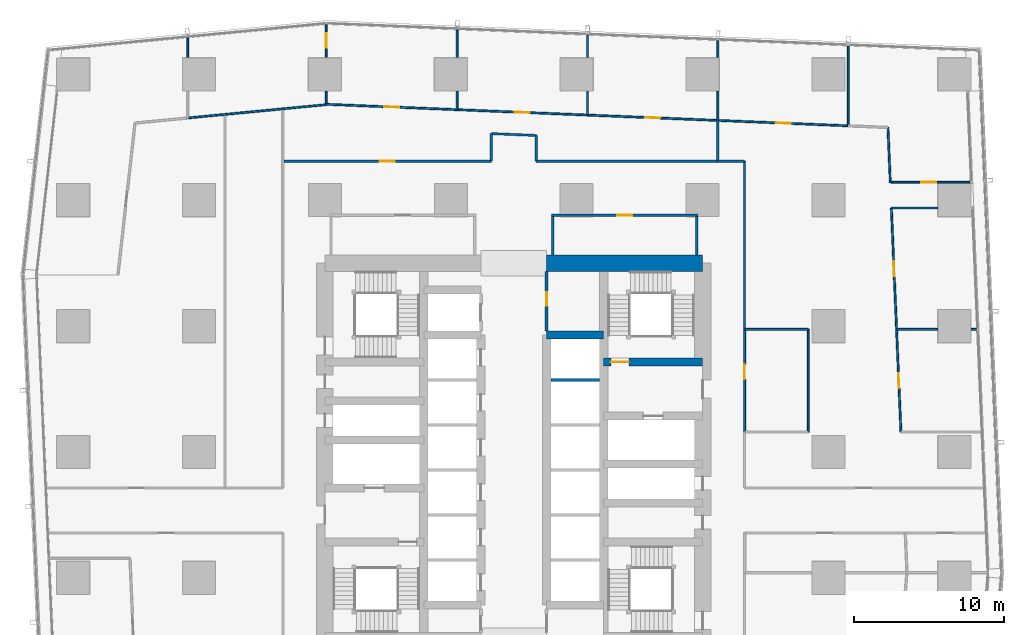
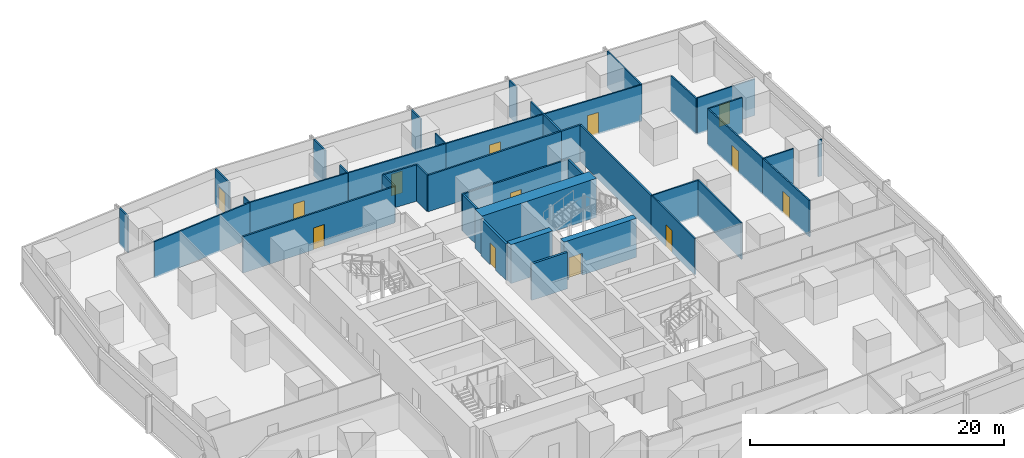
# One storey, part 34 of 44: 41 walls, 13 doors, 13 openings.
"""IFC4 building model written with IfcOpenShell, lengths in metres."""

from ifc_helpers import new_model, si_unit, direction, frame, frame_2d, origin, place, context, subcontext, project, spatial, rectangle, extrude, material, layer, layer_set, type_object, element, fill, save


model = new_model("IFC4")

# Units and contexts
model_context = context("Model", 3, precision=1e-05, world=origin(), true_north=direction((0.0, 1.0)))
body_context = subcontext(model_context, "Body", "Model", "MODEL_VIEW")
ifc_project = project(units=[si_unit("LENGTHUNIT", "METRE"), si_unit("AREAUNIT", "SQUARE_METRE"), si_unit("VOLUMEUNIT", "CUBIC_METRE"), si_unit("PLANEANGLEUNIT", "RADIAN"), si_unit("MASSUNIT", "GRAM", prefix="KILO")], contexts=[model_context])

# Site, building, storey
site_placement = place(None, origin())
site = spatial("IfcSite", under=ifc_project, at=site_placement, CompositionType="ELEMENT")
building_placement = place(site_placement, origin())
building = spatial("IfcBuilding", under=site, at=building_placement, Name="Rekha Terrace Tower", CompositionType="ELEMENT")
storey_placement = place(building_placement, frame((0.0, 0.0, 66.64990234375)))
storey = spatial("IfcBuildingStorey", under=building, at=storey_placement, Name="L16", CompositionType="ELEMENT", Elevation=66.64990234375)

# Wall
ifc_material_1 = material(Name="Concrete M70", Category="concrete")
ifc_layer_1 = layer(ifc_material_1, 0.550048828125)
ifc_layer_set_1 = layer_set([ifc_layer_1], Name="Concrete M70")
wall_type_1 = type_object("IfcWallType", Name="CI1 550 core internal shear wall", PredefinedType="SHEAR", material=ifc_layer_set_1)
wall_1_placement = place(storey_placement, frame((40.0, 41.39990234375, 0.0), z_axis=(0.0, 0.0, 1.0), x_axis=(1.0, 0.0, 0.0)))
element("IfcWall", 1, at=wall_1_placement, inside=storey, type_object=wall_type_1, Name="Core wall Y414E L16", PredefinedType="SHEAR", context=body_context, shape_type="SweptSolid", body=[
    extrude(rectangle(XDim=3.800048828125, YDim=0.550048828125, at=frame_2d((1.89990234375, 0.0))), origin(), (0.0, 0.0, 1.0), 3.75),
])

# Wall, opening, door
wall_2_placement = place(storey_placement, frame((43.800048828125, 39.60009765625, 0.0), z_axis=(0.0, 0.0, 1.0), x_axis=(1.0, 0.0, 0.0)))
wall_2 = element("IfcWall", 2, at=wall_2_placement, inside=storey, type_object=wall_type_1, Name="Core wall Y396E L16", PredefinedType="SHEAR", context=body_context, shape_type="SweptSolid", body=[
    extrude(rectangle(XDim=6.599853515625, YDim=0.550048828125, at=frame_2d((3.2998046875, 0.0))), origin(), (0.0, 0.0, 1.0), 3.75),
])
opening_1_placement = place(wall_2_placement, frame((0.47509765625, 0.0, 0.0)))
opening_1 = element("IfcOpeningElement", 3, at=opening_1_placement, cuts=wall_2, Name="Opening D1", PredefinedType="OPENING", context=body_context, shape_type="SweptSolid", body=[
    extrude(rectangle(XDim=1.199951171875, YDim=2.10009765625, at=frame_2d((0.60009765625, 1.050048828125))), frame((0.0, 0.284912109375, 0.0), z_axis=(0.0, -1.0, 0.0), x_axis=(1.0, 0.0, 0.0)), (0.0, 0.0, 1.0), 0.570068359375),
])
ifc_material_2 = material(Name="Steel fire door", Category="steel")
door_type_1 = type_object("IfcDoorType", Name="D1 1200x2100 stair fire door", OperationType="SINGLE_SWING_RIGHT", PredefinedType="DOOR", material=ifc_material_2)
door_1_placement = place(opening_1_placement, origin())
door_1 = element("IfcDoor", 4, at=door_1_placement, inside=storey, type_object=door_type_1, Name="Stair ST2 door L16", OperationType="SINGLE_SWING_RIGHT", OverallHeight=2.10009765625, OverallWidth=1.199951171875, PredefinedType="DOOR", context=body_context, shape_type="SweptSolid", body=[
    extrude(rectangle(XDim=1.199951171875, YDim=2.10009765625, at=frame_2d((0.60009765625, 1.050048828125))), frame((0.0, 0.02490234375, 0.0), z_axis=(0.0, -1.0, 0.0), x_axis=(1.0, 0.0, 0.0)), (0.0, 0.0, 1.0), 0.050048828125),
])
fill(opening_1, door_1)

# Wall
ifc_layer_2 = layer(ifc_material_1, 1.10009765625)
ifc_layer_set_2 = layer_set([ifc_layer_2], Name="Concrete M70")
wall_type_2 = type_object("IfcWallType", Name="SW1 1100 core outer shear wall", PredefinedType="SHEAR", material=ifc_layer_set_2)
wall_3_placement = place(storey_placement, frame((40.0, 46.199951171875, 0.0), z_axis=(0.0, 0.0, 1.0), x_axis=(1.0, 0.0, 0.0)))
element("IfcWall", 5, at=wall_3_placement, inside=storey, type_object=wall_type_2, Name="Core wall N2 L16", PredefinedType="SHEAR", context=body_context, shape_type="SweptSolid", body=[
    extrude(rectangle(XDim=10.39990234375, YDim=1.10009765625, at=frame_2d((5.199951171875, 0.0))), origin(), (0.0, 0.0, 1.0), 3.75),
])

# Wall, opening, door
ifc_material_3 = material(Name="Concrete block masonry, 1 hour", Category="masonry")
ifc_layer_3 = layer(ifc_material_3, 0.14990234375)
ifc_layer_set_3 = layer_set([ifc_layer_3], Name="Concrete block masonry, 1 hour")
wall_type_3 = type_object("IfcWallType", Name="WP2 150 tenancy partition", PredefinedType="PARTITIONING", material=ifc_layer_set_3)
wall_4_placement = place(storey_placement, frame((40.324951171875, 49.39990234375, 0.0), z_axis=(0.0, 0.0, 1.0), x_axis=(1.0, 0.0, 0.0)))
wall_4 = element("IfcWall", 6, at=wall_4_placement, inside=storey, type_object=wall_type_3, Name="Women's WC wall L16", PredefinedType="PARTITIONING", context=body_context, shape_type="SweptSolid", body=[
    extrude(rectangle(XDim=9.75, YDim=0.14990234375, at=frame_2d((4.875, 0.0))), origin(), (0.0, 0.0, 1.0), 3.5),
])
opening_2_placement = place(wall_4_placement, frame((4.375, 0.0, 0.0)))
opening_2 = element("IfcOpeningElement", 7, at=opening_2_placement, cuts=wall_4, Name="Opening D3", PredefinedType="OPENING", context=body_context, shape_type="SweptSolid", body=[
    extrude(rectangle(XDim=1.0, YDim=2.10009765625, at=frame_2d((0.5, 1.050048828125))), frame((0.0, 0.0849609375, 0.0), z_axis=(0.0, -1.0, 0.0), x_axis=(1.0, 0.0, 0.0)), (0.0, 0.0, 1.0), 0.169921875),
])
ifc_material_4 = material(Name="Laminated timber fire door", Category="wood")
door_type_2 = type_object("IfcDoorType", Name="D3 1000x2100 WC door", OperationType="SINGLE_SWING_LEFT", PredefinedType="DOOR", material=ifc_material_4)
door_2_placement = place(opening_2_placement, origin())
door_2 = element("IfcDoor", 8, at=door_2_placement, inside=storey, type_object=door_type_2, Name="Door women's wc L16", OperationType="SINGLE_SWING_LEFT", OverallHeight=2.10009765625, OverallWidth=1.0, PredefinedType="DOOR", context=body_context, shape_type="SweptSolid", body=[
    extrude(rectangle(XDim=1.0, YDim=2.10009765625, at=frame_2d((0.5, 1.050048828125))), frame((0.0, 0.02490234375, 0.0), z_axis=(0.0, -1.0, 0.0), x_axis=(1.0, 0.0, 0.0)), (0.0, 0.0, 1.0), 0.050048828125),
])
fill(opening_2, door_2)

# Walls
for number, where, z_axis, x_axis, name in (
    (9, (40.39990234375, 46.75, 0.0), (0.0, 0.0, 1.0), (0.0, 1.0, 0.0), "Women's WC wall L16"),
    (10, (50.0, 46.75, 0.0), (0.0, 0.0, 1.0), (0.0, 1.0, 0.0), "Women's WC wall L16"),
):
    element("IfcWall", number, at=place(storey_placement, frame(where, z_axis=z_axis, x_axis=x_axis)), inside=storey, type_object=wall_type_3, Name=name, PredefinedType="PARTITIONING", context=body_context, shape_type="SweptSolid", body=[
        extrude(rectangle(XDim=2.574951171875, YDim=0.14990234375, at=frame_2d((1.28759765625, 0.0))), origin(), (0.0, 0.0, 1.0), 3.5),
    ])
wall_5_placement = place(storey_placement, frame((53.199951171875, 41.781005859375, 0.0), z_axis=(0.0, 0.0, 1.0), x_axis=(0.0, 1.0, 0.0)))
element("IfcWall", 11, at=wall_5_placement, inside=storey, type_object=wall_type_3, Name="Partition L16-O2", PredefinedType="PARTITIONING", context=body_context, shape_type="SweptSolid", body=[
    extrude(rectangle(XDim=11.218994140625, YDim=0.14990234375, at=frame_2d((5.609375, 0.0))), origin(), (0.0, 0.0, 1.0), 3.5),
])
wall_6_placement = place(storey_placement, frame((53.199951171875, 53.0, 0.0), z_axis=(0.0, 0.0, 1.0), x_axis=(-1.0, 0.0, 0.0)))
element("IfcWall", 12, at=wall_6_placement, inside=storey, type_object=wall_type_3, Name="Partition L16-O2", PredefinedType="PARTITIONING", context=body_context, shape_type="SweptSolid", body=[
    extrude(rectangle(XDim=1.783935546875, YDim=0.14990234375, at=frame_2d((0.89208984375, 0.0))), origin(), (0.0, 0.0, 1.0), 3.5),
])
wall_7_placement = place(storey_placement, frame((51.416015625, 53.0, 0.0), z_axis=(0.0, 0.0, 1.0), x_axis=(0.0, 1.0, 0.0)))
element("IfcWall", 13, at=wall_7_placement, inside=storey, type_object=wall_type_3, Name="Partition L16-O2", PredefinedType="PARTITIONING", context=body_context, shape_type="SweptSolid", body=[
    extrude(rectangle(XDim=2.719970703125, YDim=0.14990234375, at=frame_2d((1.35986328125, 0.0))), origin(), (0.0, 0.0, 1.0), 3.5),
])
wall_8_placement = place(storey_placement, frame((51.4150390625, 53.0, 0.0), z_axis=(0.0, 0.0, 1.0), x_axis=(-1.0, 0.0, 0.0)))
element("IfcWall", 14, at=wall_8_placement, inside=storey, type_object=wall_type_3, Name="Partition L16-O3", PredefinedType="PARTITIONING", context=body_context, shape_type="SweptSolid", body=[
    extrude(rectangle(XDim=12.114990234375, YDim=0.14990234375, at=frame_2d((6.0576171875, 0.0))), origin(), (0.0, 0.0, 1.0), 3.5),
])
wall_9_placement = place(storey_placement, frame((39.300048828125, 53.0, 0.0), z_axis=(0.0, 0.0, 1.0), x_axis=(0.0, 1.0, 0.0)))
element("IfcWall", 15, at=wall_9_placement, inside=storey, type_object=wall_type_3, Name="Partition L16-O3", PredefinedType="PARTITIONING", context=body_context, shape_type="SweptSolid", body=[
    extrude(rectangle(XDim=1.718017578125, YDim=0.14990234375, at=frame_2d((0.85888671875, 0.0))), origin(), (0.0, 0.0, 1.0), 3.5),
])
wall_10_placement = place(storey_placement, frame((39.300048828125, 54.718017578125, 0.0), z_axis=(0.0, 0.0, 1.0), x_axis=(-0.999146548644, 0.041305863176, 0.0)))
element("IfcWall", 16, at=wall_10_placement, inside=storey, type_object=wall_type_3, Name="Partition L16-O3", PredefinedType="PARTITIONING", context=body_context, shape_type="SweptSolid", body=[
    extrude(rectangle(XDim=3.00244140625, YDim=0.14990234375, at=frame_2d((1.501220703125, 0.0))), origin(), (0.0, 0.0, 1.0), 3.5),
])
wall_11_placement = place(storey_placement, frame((36.300048828125, 54.842041015625, 0.0), z_axis=(0.0, 0.0, 1.0), x_axis=(0.0, -1.0, 0.0)))
element("IfcWall", 17, at=wall_11_placement, inside=storey, type_object=wall_type_3, Name="Partition L16-O3", PredefinedType="PARTITIONING", context=body_context, shape_type="SweptSolid", body=[
    extrude(rectangle(XDim=1.842041015625, YDim=0.14990234375, at=frame_2d((0.9208984375, 0.0))), origin(), (0.0, 0.0, 1.0), 3.5),
])

# Wall, opening, door
wall_12_placement = place(storey_placement, frame((36.300048828125, 53.0, 0.0), z_axis=(0.0, 0.0, 1.0), x_axis=(-1.0, 0.0, 0.0)))
wall_12 = element("IfcWall", 18, at=wall_12_placement, inside=storey, type_object=wall_type_3, Name="Partition L16-O3", PredefinedType="PARTITIONING", context=body_context, shape_type="SweptSolid", body=[
    extrude(rectangle(XDim=13.838134765625, YDim=0.14990234375, at=frame_2d((6.9189453125, 0.0))), origin(), (0.0, 0.0, 1.0), 3.5),
])
opening_3_placement = place(wall_12_placement, frame((6.449951171875, 0.0, 0.0)))
opening_3 = element("IfcOpeningElement", 19, at=opening_3_placement, cuts=wall_12, Name="Opening D9", PredefinedType="OPENING", context=body_context, shape_type="SweptSolid", body=[
    extrude(rectangle(XDim=1.0, YDim=2.10009765625, at=frame_2d((0.5, 1.050048828125))), frame((0.0, 0.0849609375, 0.0), z_axis=(0.0, -1.0, 0.0), x_axis=(1.0, 0.0, 0.0)), (0.0, 0.0, 1.0), 0.169921875),
])
ifc_material_5 = material(Name="Timber fire door", Category="wood")
door_type_3 = type_object("IfcDoorType", Name="D9 1000x2100 office door", OperationType="SINGLE_SWING_LEFT", PredefinedType="DOOR", material=ifc_material_5)
door_3_placement = place(opening_3_placement, origin())
door_3 = element("IfcDoor", 20, at=door_3_placement, inside=storey, type_object=door_type_3, Name="Door open-plan office L16", OperationType="SINGLE_SWING_LEFT", OverallHeight=2.10009765625, OverallWidth=1.0, PredefinedType="DOOR", context=body_context, shape_type="SweptSolid", body=[
    extrude(rectangle(XDim=1.0, YDim=2.10009765625, at=frame_2d((0.5, 1.050048828125))), frame((0.0, 0.02490234375, 0.0), z_axis=(0.0, -1.0, 0.0), x_axis=(1.0, 0.0, 0.0)), (0.0, 0.0, 1.0), 0.050048828125),
])
fill(opening_3, door_3)

ifc_material_6 = material(Name="Two layers of fire-rated gypsum board each side on steel studs, acoustic quilt, 1 hour", Category="steel")
ifc_layer_4 = layer(ifc_material_6, 0.125)
ifc_layer_set_4 = layer_set([ifc_layer_4], Name="Two layers of fire-rated gypsum board each side on steel studs, acoustic quilt, 1 hour")
wall_type_4 = type_object("IfcWallType", Name="WP3 125 office partition", PredefinedType="PARTITIONING", material=ifc_layer_set_4)
wall_13_placement = place(storey_placement, frame((63.631103515625, 34.931884765625, 0.0), z_axis=(0.0, 0.0, 1.0), x_axis=(-0.042771118603, 0.999084897, 0.0)))
wall_13 = element("IfcWall", 21, at=wall_13_placement, inside=storey, type_object=wall_type_4, Name="Partition L16-07", PredefinedType="PARTITIONING", context=body_context, shape_type="SweptSolid", body=[
    extrude(rectangle(XDim=6.85546875, YDim=0.125, at=frame_2d((3.427734375, 0.0))), origin(), (0.0, 0.0, 1.0), 3.5),
])
opening_4_placement = place(wall_13_placement, frame((2.927978515625, 0.0, 0.0)))
opening_4 = element("IfcOpeningElement", 22, at=opening_4_placement, cuts=wall_13, Name="Opening D9", PredefinedType="OPENING", context=body_context, shape_type="SweptSolid", body=[
    extrude(rectangle(XDim=1.0, YDim=2.10009765625, at=frame_2d((0.5, 1.050048828125))), frame((0.0, 0.072509765625, 0.0), z_axis=(0.0, -1.0, 0.0), x_axis=(1.0, 0.0, 0.0)), (0.0, 0.0, 1.0), 0.14501953125),
])
door_4_placement = place(opening_4_placement, origin())
door_4 = element("IfcDoor", 23, at=door_4_placement, inside=storey, type_object=door_type_3, Name="Door office L16", OperationType="SINGLE_SWING_LEFT", OverallHeight=2.10009765625, OverallWidth=1.0, PredefinedType="DOOR", context=body_context, shape_type="SweptSolid", body=[
    extrude(rectangle(XDim=1.0, YDim=2.10009765625, at=frame_2d((0.5, 1.050048828125))), frame((0.0, 0.02490234375, 0.0), z_axis=(0.0, -1.0, 0.0), x_axis=(1.0, 0.0, 0.0)), (0.0, 0.0, 1.0), 0.050048828125),
])
fill(opening_4, door_4)

# Walls
wall_14_placement = place(storey_placement, frame((63.337890625, 41.781005859375, 0.0), z_axis=(0.0, 0.0, 1.0), x_axis=(1.0, 0.0, 0.0)))
element("IfcWall", 24, at=wall_14_placement, inside=storey, type_object=wall_type_4, Name="Partition L16-07", PredefinedType="PARTITIONING", context=body_context, shape_type="SweptSolid", body=[
    extrude(rectangle(XDim=2.7421875, YDim=0.125, at=frame_2d((1.37109375, 0.0))), origin(), (0.0, 0.0, 1.0), 3.5),
])
wall_15_placement = place(storey_placement, frame((68.320068359375, 41.781005859375, 0.0), z_axis=(0.0, 0.0, 1.0), x_axis=(1.0, 0.0, 0.0)))
element("IfcWall", 25, at=wall_15_placement, inside=storey, type_object=wall_type_4, Name="Partition L16-07", PredefinedType="PARTITIONING", context=body_context, shape_type="SweptSolid", body=[
    extrude(rectangle(XDim=0.343017578125, YDim=0.125, at=frame_2d((0.17138671875, 0.0))), origin(), (0.0, 0.0, 1.0), 3.5),
])

# Wall, opening, door
wall_16_placement = place(storey_placement, frame((63.337890625, 41.781982421875, 0.0), z_axis=(0.0, 0.0, 1.0), x_axis=(-0.042686820675, 0.999088502256, 0.0)))
wall_16 = element("IfcWall", 26, at=wall_16_placement, inside=storey, type_object=wall_type_4, Name="Partition L16-08", PredefinedType="PARTITIONING", context=body_context, shape_type="SweptSolid", body=[
    extrude(rectangle(XDim=8.104248046875, YDim=0.125, at=frame_2d((4.05224609375, 0.0))), origin(), (0.0, 0.0, 1.0), 3.5),
])
opening_5_placement = place(wall_16_placement, frame((3.552001953125, 0.0, 0.0)))
opening_5 = element("IfcOpeningElement", 27, at=opening_5_placement, cuts=wall_16, Name="Opening D9", PredefinedType="OPENING", context=body_context, shape_type="SweptSolid", body=[
    extrude(rectangle(XDim=1.0, YDim=2.10009765625, at=frame_2d((0.5, 1.050048828125))), frame((0.0, 0.072509765625, 0.0), z_axis=(0.0, -1.0, 0.0), x_axis=(1.0, 0.0, 0.0)), (0.0, 0.0, 1.0), 0.14501953125),
])
door_5_placement = place(opening_5_placement, origin())
door_5 = element("IfcDoor", 28, at=door_5_placement, inside=storey, type_object=door_type_3, Name="Door office L16", OperationType="SINGLE_SWING_LEFT", OverallHeight=2.10009765625, OverallWidth=1.0, PredefinedType="DOOR", context=body_context, shape_type="SweptSolid", body=[
    extrude(rectangle(XDim=1.0, YDim=2.10009765625, at=frame_2d((0.5, 1.050048828125))), frame((0.0, 0.02490234375, 0.0), z_axis=(0.0, -1.0, 0.0), x_axis=(1.0, 0.0, 0.0)), (0.0, 0.0, 1.0), 0.050048828125),
])
fill(opening_5, door_5)

# Walls
wall_17_placement = place(storey_placement, frame((62.991943359375, 49.87890625, 0.0), z_axis=(0.0, 0.0, 1.0), x_axis=(1.0, 0.0, 0.0)))
element("IfcWall", 29, at=wall_17_placement, inside=storey, type_object=wall_type_4, Name="Partition L16-08", PredefinedType="PARTITIONING", context=body_context, shape_type="SweptSolid", body=[
    extrude(rectangle(XDim=3.088134765625, YDim=0.125, at=frame_2d((1.5439453125, 0.0))), origin(), (0.0, 0.0, 1.0), 3.5),
])
wall_18_placement = place(storey_placement, frame((60.112060546875, 55.361083984375, 0.0), z_axis=(0.0, 0.0, 1.0), x_axis=(0.0, 1.0, 0.0)))
element("IfcWall", 30, at=wall_18_placement, inside=storey, type_object=wall_type_4, Name="Partition L16-09", PredefinedType="PARTITIONING", context=body_context, shape_type="SweptSolid", body=[
    extrude(rectangle(XDim=5.324951171875, YDim=0.125, at=frame_2d((2.66259765625, 0.0))), origin(), (0.0, 0.0, 1.0), 3.5),
])

# Wall, opening, door
wall_19_placement = place(storey_placement, frame((68.243896484375, 51.593017578125, 0.0), z_axis=(0.0, 0.0, 1.0), x_axis=(-1.0, 0.0, 0.0)))
wall_19 = element("IfcWall", 31, at=wall_19_placement, inside=storey, type_object=wall_type_4, Name="Partition L16-09", PredefinedType="PARTITIONING", context=body_context, shape_type="SweptSolid", body=[
    extrude(rectangle(XDim=5.261962890625, YDim=0.125, at=frame_2d((2.630859375, 0.0))), origin(), (0.0, 0.0, 1.0), 3.5),
])
opening_6_placement = place(wall_19_placement, frame((2.260986328125, 0.0, 0.0)))
opening_6 = element("IfcOpeningElement", 32, at=opening_6_placement, cuts=wall_19, Name="Opening D9", PredefinedType="OPENING", context=body_context, shape_type="SweptSolid", body=[
    extrude(rectangle(XDim=1.0, YDim=2.10009765625, at=frame_2d((0.5, 1.050048828125))), frame((0.0, 0.072509765625, 0.0), z_axis=(0.0, -1.0, 0.0), x_axis=(1.0, 0.0, 0.0)), (0.0, 0.0, 1.0), 0.14501953125),
])
door_6_placement = place(opening_6_placement, origin())
door_6 = element("IfcDoor", 33, at=door_6_placement, inside=storey, type_object=door_type_3, Name="Door director's office L16", OperationType="SINGLE_SWING_LEFT", OverallHeight=2.10009765625, OverallWidth=1.0, PredefinedType="DOOR", context=body_context, shape_type="SweptSolid", body=[
    extrude(rectangle(XDim=1.0, YDim=2.10009765625, at=frame_2d((0.5, 1.050048828125))), frame((0.0, 0.02490234375, 0.0), z_axis=(0.0, -1.0, 0.0), x_axis=(1.0, 0.0, 0.0)), (0.0, 0.0, 1.0), 0.050048828125),
])
fill(opening_6, door_6)

# Wall
wall_20_placement = place(storey_placement, frame((62.9208984375, 51.556884765625, 0.0), z_axis=(0.0, 0.0, 1.0), x_axis=(-0.042709589124, 0.999087529197, 0.0)))
element("IfcWall", 34, at=wall_20_placement, inside=storey, type_object=wall_type_4, Name="Partition L16-09", PredefinedType="PARTITIONING", context=body_context, shape_type="SweptSolid", body=[
    extrude(rectangle(XDim=3.698486328125, YDim=0.125, at=frame_2d((1.84912109375, 0.0))), origin(), (0.0, 0.0, 1.0), 3.5),
])

# Wall, opening, door
wall_21_placement = place(storey_placement, frame((60.111083984375, 55.361083984375, 0.0), z_axis=(0.0, 0.0, 1.0), x_axis=(-0.99914928457, 0.041239630726, 0.0)))
wall_21 = element("IfcWall", 35, at=wall_21_placement, inside=storey, type_object=wall_type_4, Name="Partition L16-10", PredefinedType="PARTITIONING", context=body_context, shape_type="SweptSolid", body=[
    extrude(rectangle(XDim=8.702392578125, YDim=0.125, at=frame_2d((4.35107421875, 0.0))), origin(), (0.0, 0.0, 1.0), 3.5),
])
opening_7_placement = place(wall_21_placement, frame((3.85107421875, 0.0, 0.0)))
opening_7 = element("IfcOpeningElement", 36, at=opening_7_placement, cuts=wall_21, Name="Opening D9", PredefinedType="OPENING", context=body_context, shape_type="SweptSolid", body=[
    extrude(rectangle(XDim=1.0, YDim=2.10009765625, at=frame_2d((0.5, 1.050048828125))), frame((0.0, 0.072509765625, 0.0), z_axis=(0.0, -1.0, 0.0), x_axis=(1.0, 0.0, 0.0)), (0.0, 0.0, 1.0), 0.14501953125),
])
door_7_placement = place(opening_7_placement, origin())
door_7 = element("IfcDoor", 37, at=door_7_placement, inside=storey, type_object=door_type_3, Name="Door office L16", OperationType="SINGLE_SWING_LEFT", OverallHeight=2.10009765625, OverallWidth=1.0, PredefinedType="DOOR", context=body_context, shape_type="SweptSolid", body=[
    extrude(rectangle(XDim=1.0, YDim=2.10009765625, at=frame_2d((0.5, 1.050048828125))), frame((0.0, 0.02490234375, 0.0), z_axis=(0.0, -1.0, 0.0), x_axis=(1.0, 0.0, 0.0)), (0.0, 0.0, 1.0), 0.050048828125),
])
fill(opening_7, door_7)

# Walls
wall_22_placement = place(storey_placement, frame((51.416015625, 55.719970703125, 0.0), z_axis=(0.0, 0.0, 1.0), x_axis=(0.0, 1.0, 0.0)))
element("IfcWall", 38, at=wall_22_placement, inside=storey, type_object=wall_type_4, Name="Partition L16-10", PredefinedType="PARTITIONING", context=body_context, shape_type="SweptSolid", body=[
    extrude(rectangle(XDim=1.9599609375, YDim=0.125, at=frame_2d((0.97998046875, 0.0))), origin(), (0.0, 0.0, 1.0), 3.5),
])
wall_23_placement = place(storey_placement, frame((51.416015625, 59.919921875, 0.0), z_axis=(0.0, 0.0, 1.0), x_axis=(0.0, 1.0, 0.0)))
element("IfcWall", 39, at=wall_23_placement, inside=storey, type_object=wall_type_4, Name="Partition L16-10", PredefinedType="PARTITIONING", context=body_context, shape_type="SweptSolid", body=[
    extrude(rectangle(XDim=1.1240234375, YDim=0.125, at=frame_2d((0.56201171875, 0.0))), origin(), (0.0, 0.0, 1.0), 3.5),
])
wall_24_placement = place(storey_placement, frame((57.449951171875, 41.781005859375, 0.0), z_axis=(0.0, 0.0, 1.0), x_axis=(0.0, -1.0, 0.0)))
element("IfcWall", 40, at=wall_24_placement, inside=storey, type_object=wall_type_4, Name="Partition L16-11", PredefinedType="PARTITIONING", context=body_context, shape_type="SweptSolid", body=[
    extrude(rectangle(XDim=6.84912109375, YDim=0.125, at=frame_2d((3.424560546875, 0.0))), origin(), (0.0, 0.0, 1.0), 3.5),
])

# Wall, opening, door
wall_25_placement = place(storey_placement, frame((53.199951171875, 34.931884765625, 0.0), z_axis=(0.0, 0.0, 1.0), x_axis=(0.0, 1.0, 0.0)))
wall_25 = element("IfcWall", 41, at=wall_25_placement, inside=storey, type_object=wall_type_4, Name="Partition L16-11", PredefinedType="PARTITIONING", context=body_context, shape_type="SweptSolid", body=[
    extrude(rectangle(XDim=6.84912109375, YDim=0.125, at=frame_2d((3.424560546875, 0.0))), origin(), (0.0, 0.0, 1.0), 3.5),
])
opening_8_placement = place(wall_25_placement, frame((3.52392578125, 0.0, 0.0)))
opening_8 = element("IfcOpeningElement", 42, at=opening_8_placement, cuts=wall_25, Name="Opening D9", PredefinedType="OPENING", context=body_context, shape_type="SweptSolid", body=[
    extrude(rectangle(XDim=1.0, YDim=2.10009765625, at=frame_2d((0.5, 1.050048828125))), frame((0.0, 0.072509765625, 0.0), z_axis=(0.0, -1.0, 0.0), x_axis=(1.0, 0.0, 0.0)), (0.0, 0.0, 1.0), 0.14501953125),
])
door_8_placement = place(opening_8_placement, origin())
door_8 = element("IfcDoor", 43, at=door_8_placement, inside=storey, type_object=door_type_3, Name="Door reception L16", OperationType="SINGLE_SWING_LEFT", OverallHeight=2.10009765625, OverallWidth=1.0, PredefinedType="DOOR", context=body_context, shape_type="SweptSolid", body=[
    extrude(rectangle(XDim=1.0, YDim=2.10009765625, at=frame_2d((0.5, 1.050048828125))), frame((0.0, 0.02490234375, 0.0), z_axis=(0.0, -1.0, 0.0), x_axis=(1.0, 0.0, 0.0)), (0.0, 0.0, 1.0), 0.050048828125),
])
fill(opening_8, door_8)

# Wall
wall_26_placement = place(storey_placement, frame((53.199951171875, 41.781005859375, 0.0), z_axis=(0.0, 0.0, 1.0), x_axis=(1.0, 0.0, 0.0)))
element("IfcWall", 44, at=wall_26_placement, inside=storey, type_object=wall_type_4, Name="Partition L16-11", PredefinedType="PARTITIONING", context=body_context, shape_type="SweptSolid", body=[
    extrude(rectangle(XDim=4.25, YDim=0.125, at=frame_2d((2.125, 0.0))), origin(), (0.0, 0.0, 1.0), 3.5),
])

# Wall, opening, door
wall_27_placement = place(storey_placement, frame((51.4150390625, 55.719970703125, 0.0), z_axis=(0.0, 0.0, 1.0), x_axis=(-0.99915409193, 0.041122993312, 0.0)))
wall_27 = element("IfcWall", 45, at=wall_27_placement, inside=storey, type_object=wall_type_4, Name="Partition L16-12", PredefinedType="PARTITIONING", context=body_context, shape_type="SweptSolid", body=[
    extrude(rectangle(XDim=8.703369140625, YDim=0.125, at=frame_2d((4.3515625, 0.0))), origin(), (0.0, 0.0, 1.0), 3.5),
])
opening_9_placement = place(wall_27_placement, frame((3.85205078125, 0.0, 0.0)))
opening_9 = element("IfcOpeningElement", 46, at=opening_9_placement, cuts=wall_27, Name="Opening D9", PredefinedType="OPENING", context=body_context, shape_type="SweptSolid", body=[
    extrude(rectangle(XDim=1.0, YDim=2.10009765625, at=frame_2d((0.5, 1.050048828125))), frame((0.0, 0.072509765625, 0.0), z_axis=(0.0, -1.0, 0.0), x_axis=(1.0, 0.0, 0.0)), (0.0, 0.0, 1.0), 0.14501953125),
])
door_9_placement = place(opening_9_placement, origin())
door_9 = element("IfcDoor", 47, at=door_9_placement, inside=storey, type_object=door_type_3, Name="Door office L16", OperationType="SINGLE_SWING_LEFT", OverallHeight=2.10009765625, OverallWidth=1.0, PredefinedType="DOOR", context=body_context, shape_type="SweptSolid", body=[
    extrude(rectangle(XDim=1.0, YDim=2.10009765625, at=frame_2d((0.5, 1.050048828125))), frame((0.0, 0.02490234375, 0.0), z_axis=(0.0, -1.0, 0.0), x_axis=(1.0, 0.0, 0.0)), (0.0, 0.0, 1.0), 0.050048828125),
])
fill(opening_9, door_9)

# Walls
wall_28_placement = place(storey_placement, frame((42.718994140625, 56.077880859375, 0.0), z_axis=(0.0, 0.0, 1.0), x_axis=(0.0, 1.0, 0.0)))
element("IfcWall", 48, at=wall_28_placement, inside=storey, type_object=wall_type_4, Name="Partition L16-12", PredefinedType="PARTITIONING", context=body_context, shape_type="SweptSolid", body=[
    extrude(rectangle(XDim=1.60205078125, YDim=0.125, at=frame_2d((0.801025390625, 0.0))), origin(), (0.0, 0.0, 1.0), 3.5),
])
wall_29_placement = place(storey_placement, frame((42.718994140625, 59.919921875, 0.0), z_axis=(0.0, 0.0, 1.0), x_axis=(0.0, 1.0, 0.0)))
element("IfcWall", 49, at=wall_29_placement, inside=storey, type_object=wall_type_4, Name="Partition L16-12", PredefinedType="PARTITIONING", context=body_context, shape_type="SweptSolid", body=[
    extrude(rectangle(XDim=1.483154296875, YDim=0.125, at=frame_2d((0.74169921875, 0.0))), origin(), (0.0, 0.0, 1.0), 3.5),
])

# Wall, opening, door
wall_30_placement = place(storey_placement, frame((42.718017578125, 56.077880859375, 0.0), z_axis=(0.0, 0.0, 1.0), x_axis=(-0.99914812822, 0.041267637136, 0.0)))
wall_30 = element("IfcWall", 50, at=wall_30_placement, inside=storey, type_object=wall_type_4, Name="Partition L16-13", PredefinedType="PARTITIONING", context=body_context, shape_type="SweptSolid", body=[
    extrude(rectangle(XDim=8.702392578125, YDim=0.125, at=frame_2d((4.35107421875, 0.0))), origin(), (0.0, 0.0, 1.0), 3.5),
])
opening_10_placement = place(wall_30_placement, frame((3.85107421875, 0.0, 0.0)))
opening_10 = element("IfcOpeningElement", 51, at=opening_10_placement, cuts=wall_30, Name="Opening D9", PredefinedType="OPENING", context=body_context, shape_type="SweptSolid", body=[
    extrude(rectangle(XDim=1.0, YDim=2.10009765625, at=frame_2d((0.5, 1.050048828125))), frame((0.0, 0.072509765625, 0.0), z_axis=(0.0, -1.0, 0.0), x_axis=(1.0, 0.0, 0.0)), (0.0, 0.0, 1.0), 0.14501953125),
])
door_10_placement = place(opening_10_placement, origin())
door_10 = element("IfcDoor", 52, at=door_10_placement, inside=storey, type_object=door_type_3, Name="Door office L16", OperationType="SINGLE_SWING_LEFT", OverallHeight=2.10009765625, OverallWidth=1.0, PredefinedType="DOOR", context=body_context, shape_type="SweptSolid", body=[
    extrude(rectangle(XDim=1.0, YDim=2.10009765625, at=frame_2d((0.5, 1.050048828125))), frame((0.0, 0.02490234375, 0.0), z_axis=(0.0, -1.0, 0.0), x_axis=(1.0, 0.0, 0.0)), (0.0, 0.0, 1.0), 0.050048828125),
])
fill(opening_10, door_10)

# Walls
wall_31_placement = place(storey_placement, frame((34.02294921875, 56.43701171875, 0.0), z_axis=(0.0, 0.0, 1.0), x_axis=(0.0, 1.0, 0.0)))
element("IfcWall", 53, at=wall_31_placement, inside=storey, type_object=wall_type_4, Name="Partition L16-13", PredefinedType="PARTITIONING", context=body_context, shape_type="SweptSolid", body=[
    extrude(rectangle(XDim=1.242919921875, YDim=0.125, at=frame_2d((0.62158203125, 0.0))), origin(), (0.0, 0.0, 1.0), 3.5),
])
wall_32_placement = place(storey_placement, frame((34.02294921875, 59.919921875, 0.0), z_axis=(0.0, 0.0, 1.0), x_axis=(0.0, 1.0, 0.0)))
element("IfcWall", 54, at=wall_32_placement, inside=storey, type_object=wall_type_4, Name="Partition L16-13", PredefinedType="PARTITIONING", context=body_context, shape_type="SweptSolid", body=[
    extrude(rectangle(XDim=1.841064453125, YDim=0.125, at=frame_2d((0.92041015625, 0.0))), origin(), (0.0, 0.0, 1.0), 3.5),
])

# Wall, opening, door
wall_33_placement = place(storey_placement, frame((34.02099609375, 56.43701171875, 0.0), z_axis=(0.0, 0.0, 1.0), x_axis=(-0.999150892364, 0.041200658827, 0.0)))
wall_33 = element("IfcWall", 55, at=wall_33_placement, inside=storey, type_object=wall_type_4, Name="Partition L16-14", PredefinedType="PARTITIONING", context=body_context, shape_type="SweptSolid", body=[
    extrude(rectangle(XDim=8.740234375, YDim=0.125, at=frame_2d((4.3701171875, 0.0))), origin(), (0.0, 0.0, 1.0), 3.5),
])
opening_11_placement = place(wall_33_placement, frame((3.868896484375, 0.0, 0.0)))
opening_11 = element("IfcOpeningElement", 56, at=opening_11_placement, cuts=wall_33, Name="Opening D9", PredefinedType="OPENING", context=body_context, shape_type="SweptSolid", body=[
    extrude(rectangle(XDim=1.0, YDim=2.10009765625, at=frame_2d((0.5, 1.050048828125))), frame((0.0, 0.072509765625, 0.0), z_axis=(0.0, -1.0, 0.0), x_axis=(1.0, 0.0, 0.0)), (0.0, 0.0, 1.0), 0.14501953125),
])
door_11_placement = place(opening_11_placement, origin())
door_11 = element("IfcDoor", 57, at=door_11_placement, inside=storey, type_object=door_type_3, Name="Door office L16", OperationType="SINGLE_SWING_LEFT", OverallHeight=2.10009765625, OverallWidth=1.0, PredefinedType="DOOR", context=body_context, shape_type="SweptSolid", body=[
    extrude(rectangle(XDim=1.0, YDim=2.10009765625, at=frame_2d((0.5, 1.050048828125))), frame((0.0, 0.02490234375, 0.0), z_axis=(0.0, -1.0, 0.0), x_axis=(1.0, 0.0, 0.0)), (0.0, 0.0, 1.0), 0.050048828125),
])
fill(opening_11, door_11)

# Wall
wall_34_placement = place(storey_placement, frame((25.291015625, 56.85888671875, 0.0), z_axis=(0.0, 0.0, 1.0), x_axis=(0.0, 1.0, 0.0)))
element("IfcWall", 58, at=wall_34_placement, inside=storey, type_object=wall_type_4, Name="Partition L16-14", PredefinedType="PARTITIONING", context=body_context, shape_type="SweptSolid", body=[
    extrude(rectangle(XDim=0.821044921875, YDim=0.125, at=frame_2d((0.41064453125, 0.0))), origin(), (0.0, 0.0, 1.0), 3.5),
])

# Wall, opening, door
wall_35_placement = place(storey_placement, frame((25.291015625, 59.919921875, 0.0), z_axis=(0.0, 0.0, 1.0), x_axis=(0.0, 1.0, 0.0)))
wall_35 = element("IfcWall", 59, at=wall_35_placement, inside=storey, type_object=wall_type_4, Name="Partition L16-14", PredefinedType="PARTITIONING", context=body_context, shape_type="SweptSolid", body=[
    extrude(rectangle(XDim=2.196044921875, YDim=0.125, at=frame_2d((1.09814453125, 0.0))), origin(), (0.0, 0.0, 1.0), 3.5),
])
opening_12_placement = place(wall_35_placement, frame((0.633056640625, 0.0, 0.0)))
opening_12 = element("IfcOpeningElement", 60, at=opening_12_placement, cuts=wall_35, Name="Opening D9", PredefinedType="OPENING", context=body_context, shape_type="SweptSolid", body=[
    extrude(rectangle(XDim=1.0, YDim=2.10009765625, at=frame_2d((0.5, 1.050048828125))), frame((0.0, 0.072509765625, 0.0), z_axis=(0.0, -1.0, 0.0), x_axis=(1.0, 0.0, 0.0)), (0.0, 0.0, 1.0), 0.14501953125),
])
door_12_placement = place(opening_12_placement, origin())
door_12 = element("IfcDoor", 61, at=door_12_placement, inside=storey, type_object=door_type_3, Name="Door office L16", OperationType="SINGLE_SWING_LEFT", OverallHeight=2.10009765625, OverallWidth=1.0, PredefinedType="DOOR", context=body_context, shape_type="SweptSolid", body=[
    extrude(rectangle(XDim=1.0, YDim=2.10009765625, at=frame_2d((0.5, 1.050048828125))), frame((0.0, 0.02490234375, 0.0), z_axis=(0.0, -1.0, 0.0), x_axis=(1.0, 0.0, 0.0)), (0.0, 0.0, 1.0), 0.050048828125),
])
fill(opening_12, door_12)

# Walls
wall_36_placement = place(storey_placement, frame((25.287109375, 56.77197265625, 0.0), z_axis=(0.0, 0.0, 1.0), x_axis=(-0.995407630517, -0.095726950797, 0.0)))
element("IfcWall", 62, at=wall_36_placement, inside=storey, type_object=wall_type_4, Name="Partition L16-15", PredefinedType="PARTITIONING", context=body_context, shape_type="SweptSolid", body=[
    extrude(rectangle(XDim=9.275634765625, YDim=0.125, at=frame_2d((4.6376953125, 0.0))), origin(), (0.0, 0.0, 1.0), 3.5),
])
wall_37_placement = place(storey_placement, frame((16.053955078125, 59.919921875, 0.0), z_axis=(0.0, 0.0, 1.0), x_axis=(0.0, 1.0, 0.0)))
element("IfcWall", 63, at=wall_37_placement, inside=storey, type_object=wall_type_4, Name="Partition L16-15", PredefinedType="PARTITIONING", context=body_context, shape_type="SweptSolid", body=[
    extrude(rectangle(XDim=1.30810546875, YDim=0.125, at=frame_2d((0.654052734375, 0.0))), origin(), (0.0, 0.0, 1.0), 3.5),
])
ifc_material_7 = material(Name="Solid concrete block masonry, 2 hour", Category="masonry")
ifc_layer_5 = layer(ifc_material_7, 0.199951171875)
ifc_layer_set_5 = layer_set([ifc_layer_5], Name="Solid concrete block masonry, 2 hour")
wall_type_5 = type_object("IfcWallType", Name="WS1 200 stair and shaft enclosure", PredefinedType="PARTITIONING", material=ifc_layer_set_5)
wall_38_placement = place(storey_placement, frame((40.27490234375, 38.39990234375, 0.0), z_axis=(0.0, 0.0, 1.0), x_axis=(1.0, 0.0, 0.0)))
element("IfcWall", 64, at=wall_38_placement, inside=storey, type_object=wall_type_5, Name="Lift shaft divider L16", PredefinedType="PARTITIONING", context=body_context, shape_type="SweptSolid", body=[
    extrude(rectangle(XDim=3.25, YDim=0.199951171875, at=frame_2d((1.625, 0.0))), origin(), (0.0, 0.0, 1.0), 3.5),
])

# Wall, opening, door
wall_39_placement = place(storey_placement, frame((40.0, 41.675048828125, 0.0), z_axis=(0.0, 0.0, 1.0), x_axis=(0.0, 1.0, 0.0)))
wall_39 = element("IfcWall", 65, at=wall_39_placement, inside=storey, type_object=wall_type_5, Name="Core partition elec L16", PredefinedType="PARTITIONING", context=body_context, shape_type="SweptSolid", body=[
    extrude(rectangle(XDim=3.974853515625, YDim=0.199951171875, at=frame_2d((1.9873046875, 0.0))), origin(), (0.0, 0.0, 1.0), 3.5),
])
opening_13_placement = place(wall_39_placement, frame((1.675048828125, 0.0, 0.0)))
opening_13 = element("IfcOpeningElement", 66, at=opening_13_placement, cuts=wall_39, Name="Opening D5", PredefinedType="OPENING", context=body_context, shape_type="SweptSolid", body=[
    extrude(rectangle(XDim=0.89990234375, YDim=2.10009765625, at=frame_2d((0.449951171875, 1.050048828125))), frame((0.0, 0.10986328125, 0.0), z_axis=(0.0, -1.0, 0.0), x_axis=(1.0, 0.0, 0.0)), (0.0, 0.0, 1.0), 0.219970703125),
])
door_type_4 = type_object("IfcDoorType", Name="D5 900x2100 riser access door", OperationType="SINGLE_SWING_LEFT", PredefinedType="DOOR", material=ifc_material_2)
door_13_placement = place(opening_13_placement, origin())
door_13 = element("IfcDoor", 67, at=door_13_placement, inside=storey, type_object=door_type_4, Name="Door electrical room L16", OperationType="SINGLE_SWING_LEFT", OverallHeight=2.10009765625, OverallWidth=0.89990234375, PredefinedType="DOOR", context=body_context, shape_type="SweptSolid", body=[
    extrude(rectangle(XDim=0.89990234375, YDim=2.10009765625, at=frame_2d((0.449951171875, 1.050048828125))), frame((0.0, 0.02490234375, 0.0), z_axis=(0.0, -1.0, 0.0), x_axis=(1.0, 0.0, 0.0)), (0.0, 0.0, 1.0), 0.050048828125),
])
fill(opening_13, door_13)

save(model, "model.ifc")
